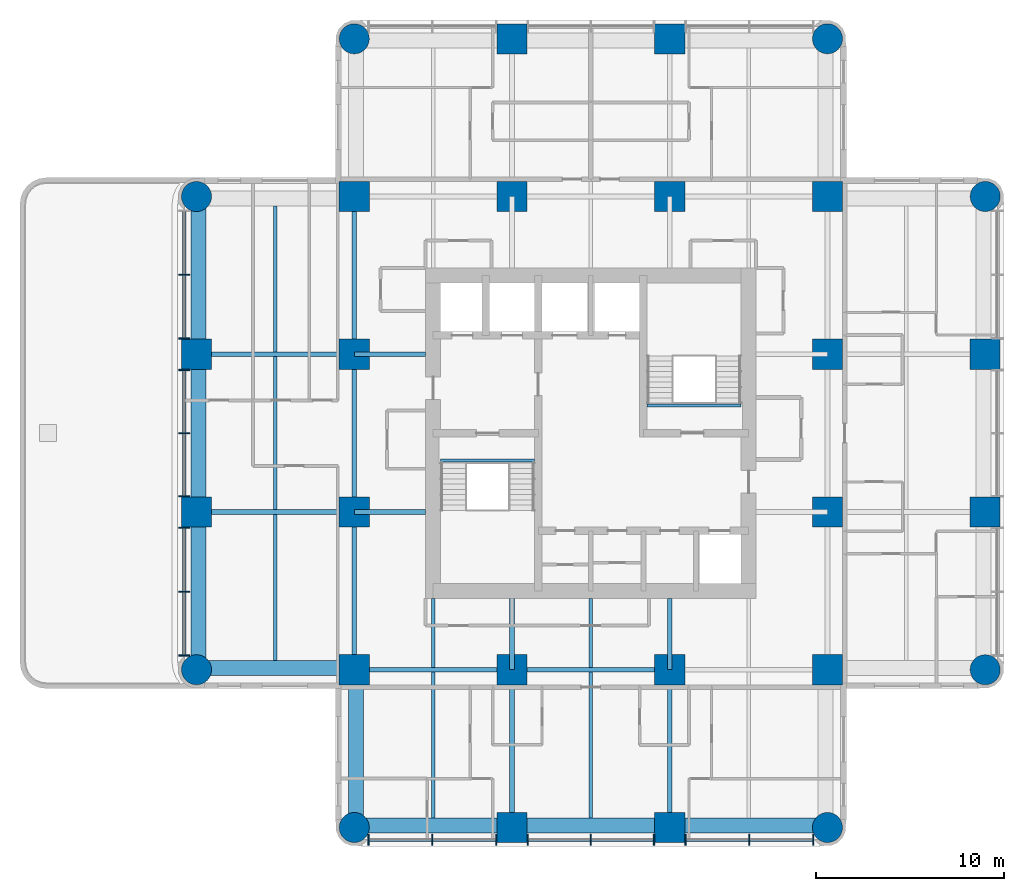
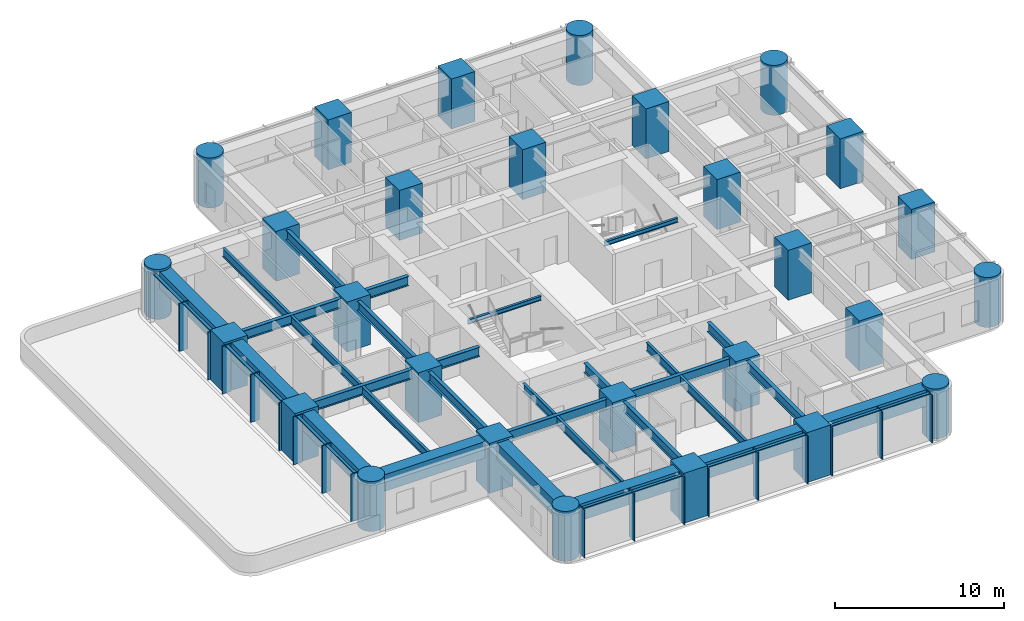
# One storey, part 1 of 9: 30 beams, 29 members, 28 columns, 2 elements without a shape of their own.
"""IFC4 building model written with IfcOpenShell, lengths in metres."""

import ifcopenshell
import ifcopenshell.guid

model = None  # the IFC model being written
_history = None  # IfcOwnerHistory: only IFC2X3 demands one
_inside = {}  # id of a spatial element -> (the spatial element, [elements in it])
_under = {}  # id of a project, library or spatial element -> (it, [spatial elements below it])
_declared = {}  # id of a project -> (the project, [libraries it declares])
_typed = {}  # id of a type object -> (the type object, [elements of that type])
_made_of = {}  # id of a material, layer set ... -> (it, [elements and type objects made of it])


def new_model(schema):
    """Start an empty IFC model of exactly this schema.

    Asked for "IFC4X3", IfcOpenShell would pick the latest addendum, in which some entities
    have other attributes; the version numbers below select the first issue.
    IFC2X3 requires an IfcOwnerHistory on every rooted entity: one is made here for all.
    """
    global model, _history
    if schema == "IFC4X3":
        model = ifcopenshell.file(schema_version=(4, 3, 0, 0))
    else:
        model = ifcopenshell.file(schema=schema)
    _inside.clear()
    _under.clear()
    _declared.clear()
    _typed.clear()
    _made_of.clear()
    _history = None
    if model.schema == "IFC2X3":
        org = make("IfcOrganization", Name="unknown")
        user = make(
            "IfcPersonAndOrganization",
            ThePerson=make("IfcPerson", FamilyName="unknown"),
            TheOrganization=org,
        )
        app = make(
            "IfcApplication",
            ApplicationDeveloper=org,
            Version="unknown",
            ApplicationFullName="unknown",
            ApplicationIdentifier="unknown",
        )
        _history = make(
            "IfcOwnerHistory",
            OwningUser=user,
            OwningApplication=app,
            ChangeAction="ADDED",
            CreationDate=0,
        )
    return model


def make(cls, **values):
    """One entity of the class cls with the attributes given. An attribute that is None is left unset."""
    return model.create_entity(
        cls, **{name: value for name, value in values.items() if value is not None}
    )


def rooted(cls, **values):
    """An entity with a GlobalId (a new one), such as an element, a storey or a relation."""
    return make(cls, GlobalId=ifcopenshell.guid.new(), OwnerHistory=_history, **values)


def si_unit(unit_type, name, prefix=None):
    """IfcSIUnit, for example si_unit("LENGTHUNIT", "METRE", prefix="MILLI")."""
    return make("IfcSIUnit", UnitType=unit_type, Prefix=prefix, Name=name)


def assignment(units):
    """IfcUnitAssignment: the units of a project."""
    return None if units is None else make("IfcUnitAssignment", Units=units)


def point(xyz):
    """IfcCartesianPoint."""
    return None if xyz is None else make("IfcCartesianPoint", Coordinates=xyz)


def direction(xyz):
    """IfcDirection."""
    return None if xyz is None else make("IfcDirection", DirectionRatios=xyz)


def frame(location, z_axis=None, x_axis=None):
    """IfcAxis2Placement3D, a coordinate frame: its origin and axes. An axis left out is left unset."""
    return make(
        "IfcAxis2Placement3D",
        Location=point(location),
        Axis=direction(z_axis),
        RefDirection=direction(x_axis),
    )


def frame_2d(location, x_axis=None):
    """IfcAxis2Placement2D, a coordinate frame in the plane: its origin and x axis."""
    return make(
        "IfcAxis2Placement2D", Location=point(location), RefDirection=direction(x_axis)
    )


def origin():
    """The frame at (0, 0, 0) with its axes left unset."""
    return frame((0.0, 0.0, 0.0))


def origin_2d():
    """The frame at (0, 0) in the plane with its x axis left unset."""
    return frame_2d((0.0, 0.0))


def place(relative_to, where):
    """IfcLocalPlacement: puts the frame where relative to a parent placement (None: the world)."""
    return make(
        "IfcLocalPlacement", PlacementRelTo=relative_to, RelativePlacement=where
    )


def context(
    kind, dimensions, precision=None, world=None, true_north=None, identifier=None
):
    """IfcGeometricRepresentationContext, for example the 3D "Model" context."""
    return make(
        "IfcGeometricRepresentationContext",
        ContextIdentifier=identifier,
        ContextType=kind,
        CoordinateSpaceDimension=dimensions,
        Precision=precision,
        WorldCoordinateSystem=world,
        TrueNorth=true_north,
    )


def subcontext(parent, identifier, kind, view, scale=None):
    """IfcGeometricRepresentationSubContext, for example "Body" below "Model"."""
    return make(
        "IfcGeometricRepresentationSubContext",
        ContextIdentifier=identifier,
        ContextType=kind,
        ParentContext=parent,
        TargetScale=scale,
        TargetView=view,
    )


def project(units=None, contexts=None):
    """IfcProject with its units and contexts."""
    return rooted(
        "IfcProject",
        Name="project",
        RepresentationContexts=contexts,
        UnitsInContext=assignment(units),
    )


def spatial(cls, under=None, at=None, **own):
    """A site, building, storey or space (cls), placed at a placement, below another one or the project."""
    s = rooted(cls, ObjectPlacement=at, **own)
    if under is not None:
        _under.setdefault(under.id(), (under, []))[1].append(s)
    return s


def profile(cls, at=None, kind="AREA", **sizes):
    """A parametric profile (cls). Its sizes go by their IFC names, for example OverallWidth=200.0."""
    return make(cls, ProfileType=kind, Position=at, **sizes)


def rectangle(**sizes):
    """IfcRectangleProfileDef."""
    return profile("IfcRectangleProfileDef", **sizes)


def circle(**sizes):
    """IfcCircleProfileDef."""
    return profile("IfcCircleProfileDef", **sizes)


def i_section(**sizes):
    """IfcIShapeProfileDef."""
    return profile("IfcIShapeProfileDef", **sizes)


def extrude(swept, where, along, depth):
    """IfcExtrudedAreaSolid: the profile swept, set in the frame where, extruded along a direction by depth."""
    return make(
        "IfcExtrudedAreaSolid",
        SweptArea=swept,
        Position=where,
        ExtrudedDirection=direction(along),
        Depth=depth,
    )


def shape(context_of_items, identifier, shape_type, items):
    """IfcShapeRepresentation: the items that make up one representation, for example the "Body"."""
    return make(
        "IfcShapeRepresentation",
        ContextOfItems=context_of_items,
        RepresentationIdentifier=identifier,
        RepresentationType=shape_type,
        Items=items,
    )


def material(Name=None, Category=None):
    """IfcMaterial."""
    return make("IfcMaterial", Name=Name, Category=Category)


def material_profile(
    of_material, cross_section, Name=None, Category=None, Priority=None
):
    """IfcMaterialProfile: a cross section and its material."""
    return make(
        "IfcMaterialProfile",
        Name=Name,
        Material=of_material,
        Profile=cross_section,
        Priority=Priority,
        Category=Category,
    )


def profile_set(profiles, Name=None, composite=None):
    """IfcMaterialProfileSet."""
    return make(
        "IfcMaterialProfileSet",
        Name=Name,
        MaterialProfiles=profiles,
        CompositeProfile=composite,
    )


def made_of(thing, what):
    """Note that an element or type object is made of a material, layer set ...; save() writes the relation."""
    if what is not None:
        _made_of.setdefault(what.id(), (what, []))[1].append(thing)
    return thing


def type_object(cls, material=None, **own):
    """A type object (cls), such as IfcWallType, which elements share."""
    return made_of(rooted(cls, **own), material)


def element(
    cls,
    number,
    at=None,
    inside=None,
    cuts=None,
    type_object=None,
    material=None,
    context=None,
    identifier="Body",
    shape_type=None,
    held_by="IfcProductDefinitionShape",
    body=None,
    shapes=None,
    **own,
):
    """One element of the class cls, such as IfcWall. Its Tag is "e" and its number.

    at: its placement. inside: the storey or other place that contains it. cuts: it is an
    opening in that element (IfcRelVoidsElement). A single representation is given by context,
    identifier, shape_type and body (its items); several are given by shapes. held_by: the class
    of the entity that holds the representations. save() writes the other relations.
    """
    e = rooted(cls, Tag="e%d" % number, ObjectPlacement=at, **own)
    if body is not None:
        shapes = [shape(context, identifier, shape_type, body)]
    if shapes is not None:
        e.Representation = make(held_by, Representations=shapes)
    if inside is not None:
        _inside.setdefault(inside.id(), (inside, []))[1].append(e)
    if cuts is not None:
        rooted(
            "IfcRelVoidsElement", RelatingBuildingElement=cuts, RelatedOpeningElement=e
        )
    if type_object is not None:
        _typed.setdefault(type_object.id(), (type_object, []))[1].append(e)
    return made_of(e, material)


def aggregate(whole, parts):
    """IfcRelAggregates: a whole, such as a stair, and the parts it consists of."""
    return rooted("IfcRelAggregates", RelatingObject=whole, RelatedObjects=parts)


def save(model, path):
    """Write the relations noted so far, then the file.

    IfcRelAggregates (storeys below a building ...), IfcRelContainedInSpatialStructure (elements
    in a storey), IfcRelDefinesByType, IfcRelAssociatesMaterial and IfcRelDeclares: one each for
    every whole, place, type object, material and project.
    """
    for whole, parts in _under.values():
        aggregate(whole, parts)
    for where, things in _inside.values():
        rooted(
            "IfcRelContainedInSpatialStructure",
            RelatedElements=things,
            RelatingStructure=where,
        )
    for kind, things in _typed.values():
        rooted("IfcRelDefinesByType", RelatedObjects=things, RelatingType=kind)
    for what, things in _made_of.values():
        rooted("IfcRelAssociatesMaterial", RelatedObjects=things, RelatingMaterial=what)
    for by, libraries in _declared.values():
        rooted("IfcRelDeclares", RelatingContext=by, RelatedDefinitions=libraries)
    model.write(path)


model = new_model("IFC4")

# Units and contexts
model_context = context("Model", 3, precision=1e-05, world=origin(), true_north=direction((0.0, 1.0)))
body_context = subcontext(model_context, "Body", "Model", "MODEL_VIEW")
ifc_project = project(units=[si_unit("LENGTHUNIT", "METRE"), si_unit("AREAUNIT", "SQUARE_METRE"), si_unit("VOLUMEUNIT", "CUBIC_METRE"), si_unit("PLANEANGLEUNIT", "RADIAN"), si_unit("MASSUNIT", "GRAM", prefix="KILO")], contexts=[model_context])

# Site, building, storey
site_placement = place(None, origin())
site = spatial("IfcSite", under=ifc_project, at=site_placement, CompositionType="ELEMENT")
building_placement = place(site_placement, origin())
building = spatial("IfcBuilding", under=site, at=building_placement, Name="Torre Alcanfor", CompositionType="ELEMENT")
storey_placement = place(building_placement, frame((0.0, 0.0, 254.10009765625)))
storey = spatial("IfcBuildingStorey", under=building, at=storey_placement, Name="L66", CompositionType="ELEMENT", Elevation=254.10009765625)

# Columns
ifc_material_1 = material(Name="Concrete f'c 70 MPa", Category="concrete")
ifc_material_profile_1 = material_profile(ifc_material_1, rectangle(XDim=1.60009765625, YDim=1.60009765625, at=origin_2d()), Name="1600x1600")
ifc_profile_set_1 = profile_set([ifc_material_profile_1], Name="Concrete f'c 70 MPa")
column_type_1 = type_object("IfcColumnType", Name="RC column 1600x1600 f'c70", PredefinedType="COLUMN", material=ifc_profile_set_1)
for number, where, z_axis, x_axis, name in (
    (1, (8.39990234375, 25.199951171875, 0.0), (0.0, 0.0, 1.0), (1.0, 0.0, 0.0), "Column 2/F L66"),
    (2, (8.39990234375, 33.60009765625, 0.0), (0.0, 0.0, 1.0), (1.0, 0.0, 0.0), "Column 2/G L66"),
    (3, (16.800048828125, 16.800048828125, 0.0), (0.0, 0.0, 1.0), (1.0, 0.0, 0.0), "Column 3/E L66"),
    (4, (16.800048828125, 25.199951171875, 0.0), (0.0, 0.0, 1.0), (1.0, 0.0, 0.0), "Column 3/F L66"),
    (5, (16.800048828125, 33.60009765625, 0.0), (0.0, 0.0, 1.0), (1.0, 0.0, 0.0), "Column 3/G L66"),
    (6, (16.800048828125, 42.0, 0.0), (0.0, 0.0, 1.0), (1.0, 0.0, 0.0), "Column 3/H L66"),
    (7, (25.199951171875, 8.39990234375, 0.0), (0.0, 0.0, 1.0), (1.0, 0.0, 0.0), "Column 4/D L66"),
    (8, (25.199951171875, 16.800048828125, 0.0), (0.0, 0.0, 1.0), (1.0, 0.0, 0.0), "Column 4/E L66"),
    (9, (25.199951171875, 42.0, 0.0), (0.0, 0.0, 1.0), (1.0, 0.0, 0.0), "Column 4/H L66"),
    (10, (25.199951171875, 50.39990234375, 0.0), (0.0, 0.0, 1.0), (1.0, 0.0, 0.0), "Column 4/J L66"),
    (11, (33.60009765625, 8.39990234375, 0.0), (0.0, 0.0, 1.0), (1.0, 0.0, 0.0), "Column 5/D L66"),
    (12, (33.60009765625, 16.800048828125, 0.0), (0.0, 0.0, 1.0), (1.0, 0.0, 0.0), "Column 5/E L66"),
    (13, (33.60009765625, 42.0, 0.0), (0.0, 0.0, 1.0), (1.0, 0.0, 0.0), "Column 5/H L66"),
    (14, (33.60009765625, 50.39990234375, 0.0), (0.0, 0.0, 1.0), (1.0, 0.0, 0.0), "Column 5/J L66"),
    (15, (42.0, 16.800048828125, 0.0), (0.0, 0.0, 1.0), (1.0, 0.0, 0.0), "Column 6/E L66"),
    (16, (42.0, 25.199951171875, 0.0), (0.0, 0.0, 1.0), (1.0, 0.0, 0.0), "Column 6/F L66"),
    (17, (42.0, 33.60009765625, 0.0), (0.0, 0.0, 1.0), (1.0, 0.0, 0.0), "Column 6/G L66"),
    (18, (42.0, 42.0, 0.0), (0.0, 0.0, 1.0), (1.0, 0.0, 0.0), "Column 6/H L66"),
    (19, (50.39990234375, 25.199951171875, 0.0), (0.0, 0.0, 1.0), (1.0, 0.0, 0.0), "Column 7/F L66"),
    (20, (50.39990234375, 33.60009765625, 0.0), (0.0, 0.0, 1.0), (1.0, 0.0, 0.0), "Column 7/G L66"),
):
    element("IfcColumn", number, at=place(storey_placement, frame(where, z_axis=z_axis, x_axis=x_axis)), inside=storey, type_object=column_type_1, Name=name, PredefinedType="COLUMN", context=body_context, shape_type="SweptSolid", body=[
        extrude(rectangle(XDim=1.60009765625, YDim=1.60009765625, at=origin_2d()), origin(), (0.0, 0.0, 1.0), 3.599853515625),
    ])
ifc_material_2 = material(Name="Concrete f'c 70 MPa", Category="concrete")
ifc_material_profile_2 = material_profile(ifc_material_2, circle(Radius=0.800048828125, at=origin_2d()), Name="D1600")
ifc_profile_set_2 = profile_set([ifc_material_profile_2], Name="Concrete f'c 70 MPa")
column_type_2 = type_object("IfcColumnType", Name="RC column D1600 f'c70", PredefinedType="COLUMN", material=ifc_profile_set_2)
for number, where, z_axis, x_axis, name in (
    (21, (8.39990234375, 16.800048828125, 0.0), (0.0, 0.0, 1.0), (1.0, 0.0, 0.0), "Column 2/E L66"),
    (22, (8.39990234375, 42.0, 0.0), (0.0, 0.0, 1.0), (1.0, 0.0, 0.0), "Column 2/H L66"),
    (23, (16.800048828125, 8.39990234375, 0.0), (0.0, 0.0, 1.0), (1.0, 0.0, 0.0), "Column 3/D L66"),
    (24, (16.800048828125, 50.39990234375, 0.0), (0.0, 0.0, 1.0), (1.0, 0.0, 0.0), "Column 3/J L66"),
    (25, (42.0, 8.39990234375, 0.0), (0.0, 0.0, 1.0), (1.0, 0.0, 0.0), "Column 6/D L66"),
    (26, (42.0, 50.39990234375, 0.0), (0.0, 0.0, 1.0), (1.0, 0.0, 0.0), "Column 6/J L66"),
    (27, (50.39990234375, 16.800048828125, 0.0), (0.0, 0.0, 1.0), (1.0, 0.0, 0.0), "Column 7/E L66"),
    (28, (50.39990234375, 42.0, 0.0), (0.0, 0.0, 1.0), (1.0, 0.0, 0.0), "Column 7/H L66"),
):
    element("IfcColumn", number, at=place(storey_placement, frame(where, z_axis=z_axis, x_axis=x_axis)), inside=storey, type_object=column_type_2, Name=name, PredefinedType="COLUMN", context=body_context, shape_type="SweptSolid", body=[
        extrude(circle(Radius=0.800048828125, at=origin_2d()), origin(), (0.0, 0.0, 1.0), 3.599853515625),
    ])

# Curtain wall, members
ifc_material_3 = material(Name="Aluminium and glass", Category="aluminium")
curtain_wall_type = type_object("IfcCurtainWallType", Name="CW-A unitised apartment glazing with vertical FIN", PredefinedType="NOTDEFINED", material=ifc_material_3)
curtain_wall_1_placement = place(storey_placement, origin())
curtain_wall_1 = element("IfcCurtainWall", 29, at=curtain_wall_1_placement, inside=storey, type_object=curtain_wall_type, Name="Curtain wall CW-A L66 2", PredefinedType="NOTDEFINED")
ifc_material_4 = material(Name="Bronze anodised aluminium", Category="aluminium")
ifc_material_profile_3 = material_profile(ifc_material_4, rectangle(XDim=0.60009765625, YDim=0.06494140625, at=origin_2d()), Name="CW-A mullion 65x600")
ifc_profile_set_3 = profile_set([ifc_material_profile_3], Name="Bronze anodised aluminium")
member_type_1 = type_object("IfcMemberType", Name="CW-A mullion with vertical FIN 65x600", PredefinedType="MULLION", material=ifc_profile_set_3)
member_1_placement = place(storey_placement, frame((7.75, 37.840087890625, 0.0), z_axis=(0.0, 0.0, 1.0), x_axis=(1.0, 0.0, 0.0)))
member_1 = element("IfcMember", 30, at=member_1_placement, type_object=member_type_1, Name="CW-A mullion 1.2", PredefinedType="MULLION", context=body_context, shape_type="SweptSolid", body=[
    extrude(rectangle(XDim=0.60009765625, YDim=0.06494140625, at=origin_2d()), origin(), (0.0, 0.0, 1.0), 3.449951171875),
])
member_2_placement = place(storey_placement, frame((7.75, 34.4375, 0.0), z_axis=(0.0, 0.0, 1.0), x_axis=(1.0, 0.0, 0.0)))
member_2 = element("IfcMember", 31, at=member_2_placement, type_object=member_type_1, Name="CW-A mullion 1.3", PredefinedType="MULLION", context=body_context, shape_type="SweptSolid", body=[
    extrude(rectangle(XDim=0.60009765625, YDim=0.06494140625, at=origin_2d()), origin(), (0.0, 0.0, 1.0), 3.449951171875),
])
member_3_placement = place(storey_placement, frame((7.75, 32.762451171875, 0.0), z_axis=(0.0, 0.0, 1.0), x_axis=(1.0, 0.0, 0.0)))
member_3 = element("IfcMember", 32, at=member_3_placement, type_object=member_type_1, Name="CW-A mullion 2.1", PredefinedType="MULLION", context=body_context, shape_type="SweptSolid", body=[
    extrude(rectangle(XDim=0.60009765625, YDim=0.06494140625, at=origin_2d()), origin(), (0.0, 0.0, 1.0), 3.449951171875),
])
member_4_placement = place(storey_placement, frame((7.75, 29.39990234375, 0.0), z_axis=(0.0, 0.0, 1.0), x_axis=(1.0, 0.0, 0.0)))
member_4 = element("IfcMember", 33, at=member_4_placement, type_object=member_type_1, Name="CW-A mullion 2.2", PredefinedType="MULLION", context=body_context, shape_type="SweptSolid", body=[
    extrude(rectangle(XDim=0.60009765625, YDim=0.06494140625, at=origin_2d()), origin(), (0.0, 0.0, 1.0), 3.449951171875),
])
member_5_placement = place(storey_placement, frame((7.75, 26.03759765625, 0.0), z_axis=(0.0, 0.0, 1.0), x_axis=(1.0, 0.0, 0.0)))
member_5 = element("IfcMember", 34, at=member_5_placement, type_object=member_type_1, Name="CW-A mullion 2.3", PredefinedType="MULLION", context=body_context, shape_type="SweptSolid", body=[
    extrude(rectangle(XDim=0.60009765625, YDim=0.06494140625, at=origin_2d()), origin(), (0.0, 0.0, 1.0), 3.449951171875),
])
member_6_placement = place(storey_placement, frame((7.75, 24.362548828125, 0.0), z_axis=(0.0, 0.0, 1.0), x_axis=(1.0, 0.0, 0.0)))
member_6 = element("IfcMember", 35, at=member_6_placement, type_object=member_type_1, Name="CW-A mullion 3.1", PredefinedType="MULLION", context=body_context, shape_type="SweptSolid", body=[
    extrude(rectangle(XDim=0.60009765625, YDim=0.06494140625, at=origin_2d()), origin(), (0.0, 0.0, 1.0), 3.449951171875),
])
member_7_placement = place(storey_placement, frame((7.75, 20.9599609375, 0.0), z_axis=(0.0, 0.0, 1.0), x_axis=(1.0, 0.0, 0.0)))
member_7 = element("IfcMember", 36, at=member_7_placement, type_object=member_type_1, Name="CW-A mullion 3.2", PredefinedType="MULLION", context=body_context, shape_type="SweptSolid", body=[
    extrude(rectangle(XDim=0.60009765625, YDim=0.06494140625, at=origin_2d()), origin(), (0.0, 0.0, 1.0), 3.449951171875),
])
member_8_placement = place(storey_placement, frame((7.75, 17.557373046875, 0.0), z_axis=(0.0, 0.0, 1.0), x_axis=(1.0, 0.0, 0.0)))
member_8 = element("IfcMember", 37, at=member_8_placement, type_object=member_type_1, Name="CW-A mullion 3.3", PredefinedType="MULLION", context=body_context, shape_type="SweptSolid", body=[
    extrude(rectangle(XDim=0.60009765625, YDim=0.06494140625, at=origin_2d()), origin(), (0.0, 0.0, 1.0), 3.449951171875),
])

curtain_wall_2_placement = place(storey_placement, origin())
curtain_wall_2 = element("IfcCurtainWall", 38, at=curtain_wall_2_placement, inside=storey, type_object=curtain_wall_type, Name="Curtain wall CW-A L66 5", PredefinedType="NOTDEFINED")
member_9_placement = place(storey_placement, frame((17.557373046875, 7.75, 0.0), z_axis=(0.0, 0.0, 1.0), x_axis=(0.0, 1.0, 0.0)))
member_9 = element("IfcMember", 39, at=member_9_placement, type_object=member_type_1, Name="CW-A mullion 1.1", PredefinedType="MULLION", context=body_context, shape_type="SweptSolid", body=[
    extrude(rectangle(XDim=0.60009765625, YDim=0.06494140625, at=origin_2d()), origin(), (0.0, 0.0, 1.0), 3.449951171875),
])
member_10_placement = place(storey_placement, frame((20.9599609375, 7.75, 0.0), z_axis=(0.0, 0.0, 1.0), x_axis=(0.0, 1.0, 0.0)))
member_10 = element("IfcMember", 40, at=member_10_placement, type_object=member_type_1, Name="CW-A mullion 1.2", PredefinedType="MULLION", context=body_context, shape_type="SweptSolid", body=[
    extrude(rectangle(XDim=0.60009765625, YDim=0.06494140625, at=origin_2d()), origin(), (0.0, 0.0, 1.0), 3.449951171875),
])
member_11_placement = place(storey_placement, frame((24.362548828125, 7.75, 0.0), z_axis=(0.0, 0.0, 1.0), x_axis=(0.0, 1.0, 0.0)))
member_11 = element("IfcMember", 41, at=member_11_placement, type_object=member_type_1, Name="CW-A mullion 1.3", PredefinedType="MULLION", context=body_context, shape_type="SweptSolid", body=[
    extrude(rectangle(XDim=0.60009765625, YDim=0.06494140625, at=origin_2d()), origin(), (0.0, 0.0, 1.0), 3.449951171875),
])
member_12_placement = place(storey_placement, frame((26.03759765625, 7.75, 0.0), z_axis=(0.0, 0.0, 1.0), x_axis=(0.0, 1.0, 0.0)))
member_12 = element("IfcMember", 42, at=member_12_placement, type_object=member_type_1, Name="CW-A mullion 2.1", PredefinedType="MULLION", context=body_context, shape_type="SweptSolid", body=[
    extrude(rectangle(XDim=0.60009765625, YDim=0.06494140625, at=origin_2d()), origin(), (0.0, 0.0, 1.0), 3.449951171875),
])
member_13_placement = place(storey_placement, frame((29.39990234375, 7.75, 0.0), z_axis=(0.0, 0.0, 1.0), x_axis=(0.0, 1.0, 0.0)))
member_13 = element("IfcMember", 43, at=member_13_placement, type_object=member_type_1, Name="CW-A mullion 2.2", PredefinedType="MULLION", context=body_context, shape_type="SweptSolid", body=[
    extrude(rectangle(XDim=0.60009765625, YDim=0.06494140625, at=origin_2d()), origin(), (0.0, 0.0, 1.0), 3.449951171875),
])
member_14_placement = place(storey_placement, frame((32.762451171875, 7.75, 0.0), z_axis=(0.0, 0.0, 1.0), x_axis=(0.0, 1.0, 0.0)))
member_14 = element("IfcMember", 44, at=member_14_placement, type_object=member_type_1, Name="CW-A mullion 2.3", PredefinedType="MULLION", context=body_context, shape_type="SweptSolid", body=[
    extrude(rectangle(XDim=0.60009765625, YDim=0.06494140625, at=origin_2d()), origin(), (0.0, 0.0, 1.0), 3.449951171875),
])
member_15_placement = place(storey_placement, frame((34.4375, 7.75, 0.0), z_axis=(0.0, 0.0, 1.0), x_axis=(0.0, 1.0, 0.0)))
member_15 = element("IfcMember", 45, at=member_15_placement, type_object=member_type_1, Name="CW-A mullion 3.1", PredefinedType="MULLION", context=body_context, shape_type="SweptSolid", body=[
    extrude(rectangle(XDim=0.60009765625, YDim=0.06494140625, at=origin_2d()), origin(), (0.0, 0.0, 1.0), 3.449951171875),
])
member_16_placement = place(storey_placement, frame((37.840087890625, 7.75, 0.0), z_axis=(0.0, 0.0, 1.0), x_axis=(0.0, 1.0, 0.0)))
member_16 = element("IfcMember", 46, at=member_16_placement, type_object=member_type_1, Name="CW-A mullion 3.2", PredefinedType="MULLION", context=body_context, shape_type="SweptSolid", body=[
    extrude(rectangle(XDim=0.60009765625, YDim=0.06494140625, at=origin_2d()), origin(), (0.0, 0.0, 1.0), 3.449951171875),
])
member_17_placement = place(storey_placement, frame((41.24267578125, 7.75, 0.0), z_axis=(0.0, 0.0, 1.0), x_axis=(0.0, 1.0, 0.0)))
member_17 = element("IfcMember", 47, at=member_17_placement, type_object=member_type_1, Name="CW-A mullion 3.3", PredefinedType="MULLION", context=body_context, shape_type="SweptSolid", body=[
    extrude(rectangle(XDim=0.60009765625, YDim=0.06494140625, at=origin_2d()), origin(), (0.0, 0.0, 1.0), 3.449951171875),
])

# Member
ifc_material_5 = material(Name="Extruded aluminium", Category="aluminium")
ifc_material_profile_4 = material_profile(ifc_material_5, rectangle(XDim=0.199951171875, YDim=0.06494140625, at=origin_2d()), Name="CW-A transom 200x65")
ifc_profile_set_4 = profile_set([ifc_material_profile_4], Name="Extruded aluminium")
member_type_2 = type_object("IfcMemberType", Name="CW-A transom 65x200", PredefinedType="USERDEFINED", material=ifc_profile_set_4)
member_18_placement = place(storey_placement, frame((7.75, 41.210205078125, 3.41748046875), z_axis=(0.0, -1.0, 0.0), x_axis=(1.0, 0.0, 0.0)))
member_18 = element("IfcMember", 48, at=member_18_placement, type_object=member_type_2, Name="CW-A transom 1.1.2", ObjectType="TRANSOM", PredefinedType="USERDEFINED", context=body_context, shape_type="SweptSolid", body=[
    extrude(rectangle(XDim=0.199951171875, YDim=0.06494140625, at=origin_2d()), origin(), (0.0, 0.0, 1.0), 3.337646484375),
])

member_19_placement = place(storey_placement, frame((7.75, 37.8076171875, 3.41748046875), z_axis=(0.0, -1.0, 0.0), x_axis=(1.0, 0.0, 0.0)))
member_19 = element("IfcMember", 49, at=member_19_placement, type_object=member_type_2, Name="CW-A transom 1.2.2", ObjectType="TRANSOM", PredefinedType="USERDEFINED", context=body_context, shape_type="SweptSolid", body=[
    extrude(rectangle(XDim=0.199951171875, YDim=0.06494140625, at=origin_2d()), origin(), (0.0, 0.0, 1.0), 3.337646484375),
])

member_20_placement = place(storey_placement, frame((7.75, 32.72998046875, 3.41748046875), z_axis=(0.0, -1.0, 0.0), x_axis=(1.0, 0.0, 0.0)))
member_20 = element("IfcMember", 50, at=member_20_placement, type_object=member_type_2, Name="CW-A transom 2.1.2", ObjectType="TRANSOM", PredefinedType="USERDEFINED", context=body_context, shape_type="SweptSolid", body=[
    extrude(rectangle(XDim=0.199951171875, YDim=0.06494140625, at=origin_2d()), origin(), (0.0, 0.0, 1.0), 3.29736328125),
])

member_21_placement = place(storey_placement, frame((7.75, 29.367431640625, 3.41748046875), z_axis=(0.0, -1.0, 0.0), x_axis=(1.0, 0.0, 0.0)))
member_21 = element("IfcMember", 51, at=member_21_placement, type_object=member_type_2, Name="CW-A transom 2.2.2", ObjectType="TRANSOM", PredefinedType="USERDEFINED", context=body_context, shape_type="SweptSolid", body=[
    extrude(rectangle(XDim=0.199951171875, YDim=0.06494140625, at=origin_2d()), origin(), (0.0, 0.0, 1.0), 3.29736328125),
])

member_22_placement = place(storey_placement, frame((7.75, 24.330078125, 3.41748046875), z_axis=(0.0, -1.0, 0.0), x_axis=(1.0, 0.0, 0.0)))
member_22 = element("IfcMember", 52, at=member_22_placement, type_object=member_type_2, Name="CW-A transom 3.1.2", ObjectType="TRANSOM", PredefinedType="USERDEFINED", context=body_context, shape_type="SweptSolid", body=[
    extrude(rectangle(XDim=0.199951171875, YDim=0.06494140625, at=origin_2d()), origin(), (0.0, 0.0, 1.0), 3.337646484375),
])

member_23_placement = place(storey_placement, frame((7.75, 20.927490234375, 3.41748046875), z_axis=(0.0, -1.0, 0.0), x_axis=(1.0, 0.0, 0.0)))
member_23 = element("IfcMember", 53, at=member_23_placement, type_object=member_type_2, Name="CW-A transom 3.2.2", ObjectType="TRANSOM", PredefinedType="USERDEFINED", context=body_context, shape_type="SweptSolid", body=[
    extrude(rectangle(XDim=0.199951171875, YDim=0.06494140625, at=origin_2d()), origin(), (0.0, 0.0, 1.0), 3.337646484375),
])

aggregate(curtain_wall_1, [member_1, member_2, member_18, member_19, member_3, member_4, member_5, member_20, member_21, member_6, member_7, member_8, member_22, member_23])

member_24_placement = place(storey_placement, frame((17.58984375, 7.75, 3.41748046875), z_axis=(1.0, 0.0, 0.0), x_axis=(0.0, 1.0, 0.0)))
member_24 = element("IfcMember", 54, at=member_24_placement, type_object=member_type_2, Name="CW-A transom 1.1.2", ObjectType="TRANSOM", PredefinedType="USERDEFINED", context=body_context, shape_type="SweptSolid", body=[
    extrude(rectangle(XDim=0.199951171875, YDim=0.06494140625, at=origin_2d()), origin(), (0.0, 0.0, 1.0), 3.337646484375),
])

member_25_placement = place(storey_placement, frame((20.992431640625, 7.75, 3.41748046875), z_axis=(1.0, 0.0, 0.0), x_axis=(0.0, 1.0, 0.0)))
member_25 = element("IfcMember", 55, at=member_25_placement, type_object=member_type_2, Name="CW-A transom 1.2.2", ObjectType="TRANSOM", PredefinedType="USERDEFINED", context=body_context, shape_type="SweptSolid", body=[
    extrude(rectangle(XDim=0.199951171875, YDim=0.06494140625, at=origin_2d()), origin(), (0.0, 0.0, 1.0), 3.337646484375),
])

member_26_placement = place(storey_placement, frame((26.070068359375, 7.75, 3.41748046875), z_axis=(1.0, 0.0, 0.0), x_axis=(0.0, 1.0, 0.0)))
member_26 = element("IfcMember", 56, at=member_26_placement, type_object=member_type_2, Name="CW-A transom 2.1.2", ObjectType="TRANSOM", PredefinedType="USERDEFINED", context=body_context, shape_type="SweptSolid", body=[
    extrude(rectangle(XDim=0.199951171875, YDim=0.06494140625, at=origin_2d()), origin(), (0.0, 0.0, 1.0), 3.29736328125),
])

member_27_placement = place(storey_placement, frame((29.4326171875, 7.75, 3.41748046875), z_axis=(1.0, 0.0, 0.0), x_axis=(0.0, 1.0, 0.0)))
member_27 = element("IfcMember", 57, at=member_27_placement, type_object=member_type_2, Name="CW-A transom 2.2.2", ObjectType="TRANSOM", PredefinedType="USERDEFINED", context=body_context, shape_type="SweptSolid", body=[
    extrude(rectangle(XDim=0.199951171875, YDim=0.06494140625, at=origin_2d()), origin(), (0.0, 0.0, 1.0), 3.29736328125),
])

member_28_placement = place(storey_placement, frame((34.469970703125, 7.75, 3.41748046875), z_axis=(1.0, 0.0, 0.0), x_axis=(0.0, 1.0, 0.0)))
member_28 = element("IfcMember", 58, at=member_28_placement, type_object=member_type_2, Name="CW-A transom 3.1.2", ObjectType="TRANSOM", PredefinedType="USERDEFINED", context=body_context, shape_type="SweptSolid", body=[
    extrude(rectangle(XDim=0.199951171875, YDim=0.06494140625, at=origin_2d()), origin(), (0.0, 0.0, 1.0), 3.337646484375),
])

member_29_placement = place(storey_placement, frame((37.87255859375, 7.75, 3.41748046875), z_axis=(1.0, 0.0, 0.0), x_axis=(0.0, 1.0, 0.0)))
member_29 = element("IfcMember", 59, at=member_29_placement, type_object=member_type_2, Name="CW-A transom 3.2.2", ObjectType="TRANSOM", PredefinedType="USERDEFINED", context=body_context, shape_type="SweptSolid", body=[
    extrude(rectangle(XDim=0.199951171875, YDim=0.06494140625, at=origin_2d()), origin(), (0.0, 0.0, 1.0), 3.337646484375),
])

aggregate(curtain_wall_2, [member_9, member_10, member_11, member_24, member_25, member_12, member_13, member_14, member_26, member_27, member_15, member_16, member_17, member_28, member_29])

# Beams
ifc_material_6 = material(Name="Steel ASTM A992 Grade 50", Category="steel")
ifc_material_profile_5 = material_profile(ifc_material_6, i_section(OverallWidth=0.25390625, OverallDepth=0.683349609375, WebThickness=0.012451171875, FlangeThickness=0.01904296875, at=origin_2d()), Name="W27x94")
ifc_profile_set_5 = profile_set([ifc_material_profile_5], Name="Steel ASTM A992 Grade 50")
beam_type_1 = type_object("IfcBeamType", Name="Girder W27x94", PredefinedType="BEAM", material=ifc_profile_set_5)
beam_1_placement = place(storey_placement, frame((16.800048828125, 16.800048828125, 3.108154296875), z_axis=(1.0, 0.0, 0.0), x_axis=(0.0, 1.0, 0.0)))
element("IfcBeam", 60, at=beam_1_placement, inside=storey, type_object=beam_type_1, Name="Beam 3E-4E under L67", PredefinedType="BEAM", context=body_context, shape_type="SweptSolid", body=[
    extrude(i_section(OverallWidth=0.25390625, OverallDepth=0.683349609375, WebThickness=0.012451171875, FlangeThickness=0.01904296875, at=origin_2d()), origin(), (0.0, 0.0, 1.0), 8.39990234375),
])
for number, where, z_axis, x_axis, name in (
    (61, (25.199951171875, 16.800048828125, 3.108154296875), (1.0, 0.0, 0.0), (0.0, 1.0, 0.0), "Beam 4E-5E under L67"),
    (62, (8.39990234375, 25.199951171875, 3.108154296875), (1.0, 0.0, 0.0), (0.0, 1.0, 0.0), "Beam 2F-3F under L67"),
    (63, (8.39990234375, 33.60009765625, 3.108154296875), (1.0, 0.0, 0.0), (0.0, 1.0, 0.0), "Beam 2G-3G under L67"),
):
    element("IfcBeam", number, at=place(storey_placement, frame(where, z_axis=z_axis, x_axis=x_axis)), inside=storey, type_object=beam_type_1, Name=name, PredefinedType="BEAM", context=body_context, shape_type="SweptSolid", body=[
        extrude(i_section(OverallWidth=0.25390625, OverallDepth=0.683349609375, WebThickness=0.012451171875, FlangeThickness=0.01904296875, at=origin_2d()), origin(), (0.0, 0.0, 1.0), 8.400146484375),
    ])
beam_2_placement = place(storey_placement, frame((16.800048828125, 16.800048828125, 3.108154296875), z_axis=(0.0, 1.0, 0.0), x_axis=(-1.0, 0.0, 0.0)))
element("IfcBeam", 64, at=beam_2_placement, inside=storey, type_object=beam_type_1, Name="Beam 3E-3F under L67", PredefinedType="BEAM", context=body_context, shape_type="SweptSolid", body=[
    extrude(i_section(OverallWidth=0.25390625, OverallDepth=0.683349609375, WebThickness=0.012451171875, FlangeThickness=0.01904296875, at=origin_2d()), origin(), (0.0, 0.0, 1.0), 8.39990234375),
])
beam_3_placement = place(storey_placement, frame((16.800048828125, 25.199951171875, 3.108154296875), z_axis=(0.0, 1.0, 0.0), x_axis=(-1.0, 0.0, 0.0)))
element("IfcBeam", 65, at=beam_3_placement, inside=storey, type_object=beam_type_1, Name="Beam 3F-3G under L67", PredefinedType="BEAM", context=body_context, shape_type="SweptSolid", body=[
    extrude(i_section(OverallWidth=0.25390625, OverallDepth=0.683349609375, WebThickness=0.012451171875, FlangeThickness=0.01904296875, at=origin_2d()), origin(), (0.0, 0.0, 1.0), 8.400146484375),
])
beam_4_placement = place(storey_placement, frame((16.800048828125, 33.60009765625, 3.108154296875), z_axis=(0.0, 1.0, 0.0), x_axis=(-1.0, 0.0, 0.0)))
element("IfcBeam", 66, at=beam_4_placement, inside=storey, type_object=beam_type_1, Name="Beam 3G-3H under L67", PredefinedType="BEAM", context=body_context, shape_type="SweptSolid", body=[
    extrude(i_section(OverallWidth=0.25390625, OverallDepth=0.683349609375, WebThickness=0.012451171875, FlangeThickness=0.01904296875, at=origin_2d()), origin(), (0.0, 0.0, 1.0), 8.39990234375),
])
for number, where, z_axis, x_axis, name in (
    (67, (25.199951171875, 8.39990234375, 3.108154296875), (0.0, 1.0, 0.0), (-1.0, 0.0, 0.0), "Beam 4D-4E under L67"),
    (68, (33.60009765625, 8.39990234375, 3.108154296875), (0.0, 1.0, 0.0), (-1.0, 0.0, 0.0), "Beam 5D-5E under L67"),
):
    element("IfcBeam", number, at=place(storey_placement, frame(where, z_axis=z_axis, x_axis=x_axis)), inside=storey, type_object=beam_type_1, Name=name, PredefinedType="BEAM", context=body_context, shape_type="SweptSolid", body=[
        extrude(i_section(OverallWidth=0.25390625, OverallDepth=0.683349609375, WebThickness=0.012451171875, FlangeThickness=0.01904296875, at=origin_2d()), origin(), (0.0, 0.0, 1.0), 8.400146484375),
    ])
ifc_material_7 = material(Name="Steel ASTM A992 Grade 50", Category="steel")
ifc_material_profile_6 = material_profile(ifc_material_7, i_section(OverallWidth=0.25390625, OverallDepth=0.683349609375, WebThickness=0.012451171875, FlangeThickness=0.01904296875, at=origin_2d()), Name="W27x94")
ifc_profile_set_6 = profile_set([ifc_material_profile_6], Name="Steel ASTM A992 Grade 50")
beam_type_2 = type_object("IfcBeamType", Name="Girder, part bay W27x94", PredefinedType="BEAM", material=ifc_profile_set_6)
for number, where, z_axis, x_axis, name in (
    (69, (25.199951171875, 16.800048828125, 3.108154296875), (0.0, 1.0, 0.0), (-1.0, 0.0, 0.0), "Beam 4E-420_6 under L67"),
    (70, (33.60009765625, 16.800048828125, 3.108154296875), (0.0, 1.0, 0.0), (-1.0, 0.0, 0.0), "Beam 5E-520_6 under L67"),
    (71, (16.800048828125, 25.199951171875, 3.108154296875), (1.0, 0.0, 0.0), (0.0, 1.0, 0.0), "Beam 3F-20_6F under L67"),
    (72, (16.800048828125, 33.60009765625, 3.108154296875), (1.0, 0.0, 0.0), (0.0, 1.0, 0.0), "Beam 3G-20_6G under L67"),
):
    element("IfcBeam", number, at=place(storey_placement, frame(where, z_axis=z_axis, x_axis=x_axis)), inside=storey, type_object=beam_type_2, Name=name, PredefinedType="BEAM", context=body_context, shape_type="SweptSolid", body=[
        extrude(i_section(OverallWidth=0.25390625, OverallDepth=0.683349609375, WebThickness=0.012451171875, FlangeThickness=0.01904296875, at=origin_2d()), origin(), (0.0, 0.0, 1.0), 3.800048828125),
    ])
ifc_material_8 = material(Name="Concrete f'c 70 MPa", Category="concrete")
ifc_material_profile_7 = material_profile(ifc_material_8, rectangle(XDim=0.800048828125, YDim=1.199951171875, at=origin_2d()), Name="800x1200")
ifc_profile_set_7 = profile_set([ifc_material_profile_7], Name="Concrete f'c 70 MPa")
beam_type_3 = type_object("IfcBeamType", Name="RC perimeter beam 800x1200", PredefinedType="BEAM", material=ifc_profile_set_7)
beam_5_placement = place(storey_placement, frame((16.800048828125, 8.5, 2.849853515625), z_axis=(1.0, 0.0, 0.0), x_axis=(0.0, 1.0, 0.0)))
element("IfcBeam", 73, at=beam_5_placement, inside=storey, type_object=beam_type_3, Name="Beam 3D-4D under L67", PredefinedType="BEAM", context=body_context, shape_type="SweptSolid", body=[
    extrude(rectangle(XDim=0.800048828125, YDim=1.199951171875, at=origin_2d()), origin(), (0.0, 0.0, 1.0), 8.27294921875),
])
beam_6_placement = place(storey_placement, frame((25.326904296875, 8.5, 2.849853515625), z_axis=(1.0, 0.0, 0.0), x_axis=(0.0, 1.0, 0.0)))
element("IfcBeam", 74, at=beam_6_placement, inside=storey, type_object=beam_type_3, Name="Beam 4D-5D under L67", PredefinedType="BEAM", context=body_context, shape_type="SweptSolid", body=[
    extrude(rectangle(XDim=0.800048828125, YDim=1.199951171875, at=origin_2d()), origin(), (0.0, 0.0, 1.0), 8.14599609375),
])
beam_7_placement = place(storey_placement, frame((33.72705078125, 8.5, 2.849853515625), z_axis=(1.0, 0.0, 0.0), x_axis=(0.0, 1.0, 0.0)))
element("IfcBeam", 75, at=beam_7_placement, inside=storey, type_object=beam_type_3, Name="Beam 5D-6D under L67", PredefinedType="BEAM", context=body_context, shape_type="SweptSolid", body=[
    extrude(rectangle(XDim=0.800048828125, YDim=1.199951171875, at=origin_2d()), origin(), (0.0, 0.0, 1.0), 8.27294921875),
])
beam_8_placement = place(storey_placement, frame((8.39990234375, 16.89990234375, 2.849853515625), z_axis=(1.0, 0.0, 0.0), x_axis=(0.0, 1.0, 0.0)))
element("IfcBeam", 76, at=beam_8_placement, inside=storey, type_object=beam_type_3, Name="Beam 2E-3E under L67", PredefinedType="BEAM", context=body_context, shape_type="SweptSolid", body=[
    extrude(rectangle(XDim=0.800048828125, YDim=1.199951171875, at=origin_2d()), origin(), (0.0, 0.0, 1.0), 8.273193359375),
])
beam_9_placement = place(storey_placement, frame((8.5, 16.800048828125, 2.849853515625), z_axis=(0.0, 1.0, 0.0), x_axis=(-1.0, 0.0, 0.0)))
element("IfcBeam", 77, at=beam_9_placement, inside=storey, type_object=beam_type_3, Name="Beam 2E-2F under L67", PredefinedType="BEAM", context=body_context, shape_type="SweptSolid", body=[
    extrude(rectangle(XDim=0.800048828125, YDim=1.199951171875, at=origin_2d()), origin(), (0.0, 0.0, 1.0), 8.27294921875),
])
beam_10_placement = place(storey_placement, frame((8.5, 25.326904296875, 2.849853515625), z_axis=(0.0, 1.0, 0.0), x_axis=(-1.0, 0.0, 0.0)))
element("IfcBeam", 78, at=beam_10_placement, inside=storey, type_object=beam_type_3, Name="Beam 2F-2G under L67", PredefinedType="BEAM", context=body_context, shape_type="SweptSolid", body=[
    extrude(rectangle(XDim=0.800048828125, YDim=1.199951171875, at=origin_2d()), origin(), (0.0, 0.0, 1.0), 8.14599609375),
])
beam_11_placement = place(storey_placement, frame((8.5, 33.72705078125, 2.849853515625), z_axis=(0.0, 1.0, 0.0), x_axis=(-1.0, 0.0, 0.0)))
element("IfcBeam", 79, at=beam_11_placement, inside=storey, type_object=beam_type_3, Name="Beam 2G-2H under L67", PredefinedType="BEAM", context=body_context, shape_type="SweptSolid", body=[
    extrude(rectangle(XDim=0.800048828125, YDim=1.199951171875, at=origin_2d()), origin(), (0.0, 0.0, 1.0), 8.27294921875),
])
beam_12_placement = place(storey_placement, frame((16.89990234375, 8.39990234375, 2.849853515625), z_axis=(0.0, 1.0, 0.0), x_axis=(-1.0, 0.0, 0.0)))
element("IfcBeam", 80, at=beam_12_placement, inside=storey, type_object=beam_type_3, Name="Beam 3D-3E under L67", PredefinedType="BEAM", context=body_context, shape_type="SweptSolid", body=[
    extrude(rectangle(XDim=0.800048828125, YDim=1.199951171875, at=origin_2d()), origin(), (0.0, 0.0, 1.0), 8.273193359375),
])
ifc_material_9 = material(Name="Steel ASTM A992 Grade 50", Category="steel")
ifc_material_profile_8 = material_profile(ifc_material_9, i_section(OverallWidth=0.1787109375, OverallDepth=0.60205078125, WebThickness=0.010986328125, FlangeThickness=0.014892578125, at=origin_2d()), Name="W24x62")
ifc_profile_set_8 = profile_set([ifc_material_profile_8], Name="Steel ASTM A992 Grade 50")
beam_type_4 = type_object("IfcBeamType", Name="Secondary beam W24x62", PredefinedType="BEAM", material=ifc_profile_set_8)
beam_13_placement = place(storey_placement, frame((12.60009765625, 17.300048828125, 3.14892578125), z_axis=(0.0, 1.0, 0.0), x_axis=(-1.0, 0.0, 0.0)))
element("IfcBeam", 81, at=beam_13_placement, inside=storey, type_object=beam_type_4, Name="Beam 12_6E-12_6F under L67", PredefinedType="BEAM", context=body_context, shape_type="SweptSolid", body=[
    extrude(i_section(OverallWidth=0.1787109375, OverallDepth=0.60205078125, WebThickness=0.010986328125, FlangeThickness=0.014892578125, at=origin_2d()), origin(), (0.0, 0.0, 1.0), 7.77294921875),
])
beam_14_placement = place(storey_placement, frame((12.60009765625, 25.326904296875, 3.14892578125), z_axis=(0.0, 1.0, 0.0), x_axis=(-1.0, 0.0, 0.0)))
element("IfcBeam", 82, at=beam_14_placement, inside=storey, type_object=beam_type_4, Name="Beam 12_6F-12_6G under L67", PredefinedType="BEAM", context=body_context, shape_type="SweptSolid", body=[
    extrude(i_section(OverallWidth=0.1787109375, OverallDepth=0.60205078125, WebThickness=0.010986328125, FlangeThickness=0.014892578125, at=origin_2d()), origin(), (0.0, 0.0, 1.0), 8.14599609375),
])
beam_15_placement = place(storey_placement, frame((12.60009765625, 33.72705078125, 3.14892578125), z_axis=(0.0, 1.0, 0.0), x_axis=(-1.0, 0.0, 0.0)))
element("IfcBeam", 83, at=beam_15_placement, inside=storey, type_object=beam_type_4, Name="Beam 12_6G-12_6H under L67", PredefinedType="BEAM", context=body_context, shape_type="SweptSolid", body=[
    extrude(i_section(OverallWidth=0.1787109375, OverallDepth=0.60205078125, WebThickness=0.010986328125, FlangeThickness=0.014892578125, at=origin_2d()), origin(), (0.0, 0.0, 1.0), 7.77294921875),
])
for number, where, z_axis, x_axis, name in (
    (84, (21.0, 8.89990234375, 3.14892578125), (0.0, 1.0, 0.0), (-1.0, 0.0, 0.0), "Beam 21D-21E under L67"),
    (85, (29.39990234375, 8.89990234375, 3.14892578125), (0.0, 1.0, 0.0), (-1.0, 0.0, 0.0), "Beam 29_4D-29_4E under L67"),
):
    element("IfcBeam", number, at=place(storey_placement, frame(where, z_axis=z_axis, x_axis=x_axis)), inside=storey, type_object=beam_type_4, Name=name, PredefinedType="BEAM", context=body_context, shape_type="SweptSolid", body=[
        extrude(i_section(OverallWidth=0.1787109375, OverallDepth=0.60205078125, WebThickness=0.010986328125, FlangeThickness=0.014892578125, at=origin_2d()), origin(), (0.0, 0.0, 1.0), 7.773193359375),
    ])
ifc_material_10 = material(Name="Steel ASTM A992 Grade 50", Category="steel")
ifc_material_profile_9 = material_profile(ifc_material_10, i_section(OverallWidth=0.1787109375, OverallDepth=0.60205078125, WebThickness=0.010986328125, FlangeThickness=0.014892578125, at=origin_2d()), Name="W24x62")
ifc_profile_set_9 = profile_set([ifc_material_profile_9], Name="Steel ASTM A992 Grade 50")
beam_type_5 = type_object("IfcBeamType", Name="Secondary beam, part bay W24x62", PredefinedType="BEAM", material=ifc_profile_set_9)
for number, where, z_axis, x_axis, name in (
    (86, (21.0, 16.927001953125, 3.14892578125), (0.0, 1.0, 0.0), (-1.0, 0.0, 0.0), "Beam 21E-2120_6 under L67"),
    (87, (29.39990234375, 16.927001953125, 3.14892578125), (0.0, 1.0, 0.0), (-1.0, 0.0, 0.0), "Beam 29_4E-29_420_6 under L67"),
):
    element("IfcBeam", number, at=place(storey_placement, frame(where, z_axis=z_axis, x_axis=x_axis)), inside=storey, type_object=beam_type_5, Name=name, PredefinedType="BEAM", context=body_context, shape_type="SweptSolid", body=[
        extrude(i_section(OverallWidth=0.1787109375, OverallDepth=0.60205078125, WebThickness=0.010986328125, FlangeThickness=0.014892578125, at=origin_2d()), origin(), (0.0, 0.0, 1.0), 3.673095703125),
    ])
ifc_material_11 = material(Name="Steel ASTM A992 Grade 50", Category="steel")
ifc_material_profile_10 = material_profile(ifc_material_11, i_section(OverallWidth=0.164794921875, OverallDepth=0.309814453125, WebThickness=0.005859375, FlangeThickness=0.009765625, at=origin_2d()), Name="W12x26")
ifc_profile_set_10 = profile_set([ifc_material_profile_10], Name="Steel ASTM A992 Grade 50")
beam_type_6 = type_object("IfcBeamType", Name="Stair landing beam W12x26", PredefinedType="BEAM", material=ifc_profile_set_10)
for number, where, z_axis, x_axis, name in (
    (88, (21.39990234375, 27.9375, 3.244873046875), (1.0, 0.0, 0.0), (0.0, 1.0, 0.0), "Landing trimmer S1 L67"),
    (89, (32.39990234375, 30.862548828125, 3.244873046875), (1.0, 0.0, 0.0), (0.0, 1.0, 0.0), "Landing trimmer S2 L67"),
):
    element("IfcBeam", number, at=place(storey_placement, frame(where, z_axis=z_axis, x_axis=x_axis)), inside=storey, type_object=beam_type_6, Name=name, PredefinedType="BEAM", context=body_context, shape_type="SweptSolid", body=[
        extrude(i_section(OverallWidth=0.164794921875, OverallDepth=0.309814453125, WebThickness=0.005859375, FlangeThickness=0.009765625, at=origin_2d()), origin(), (0.0, 0.0, 1.0), 5.0),
    ])

save(model, "model.ifc")
